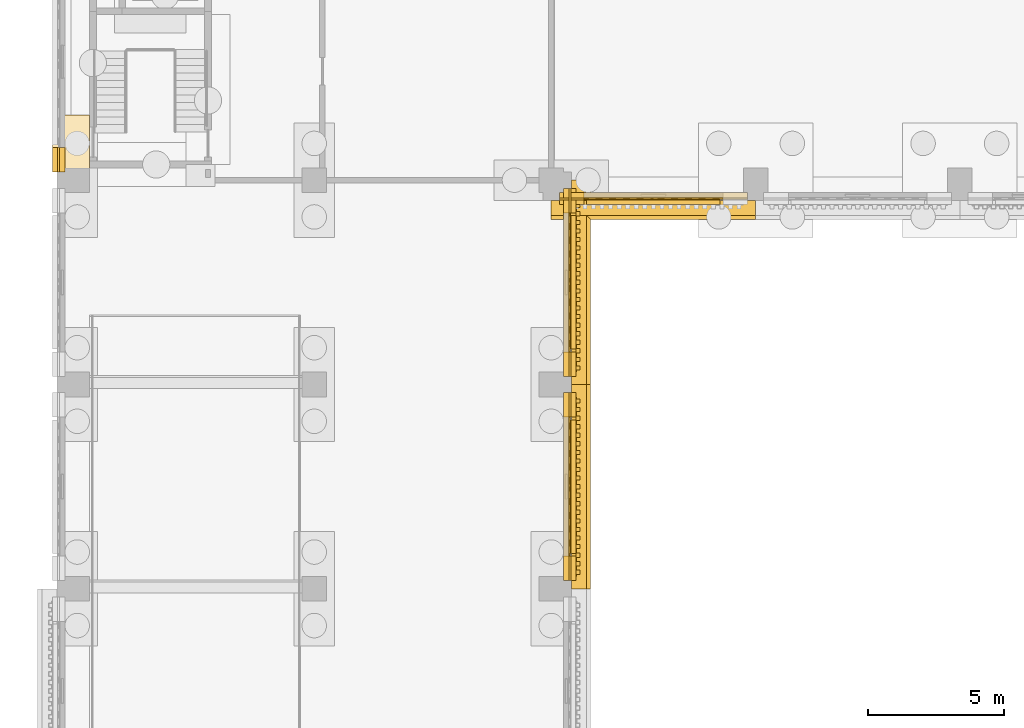
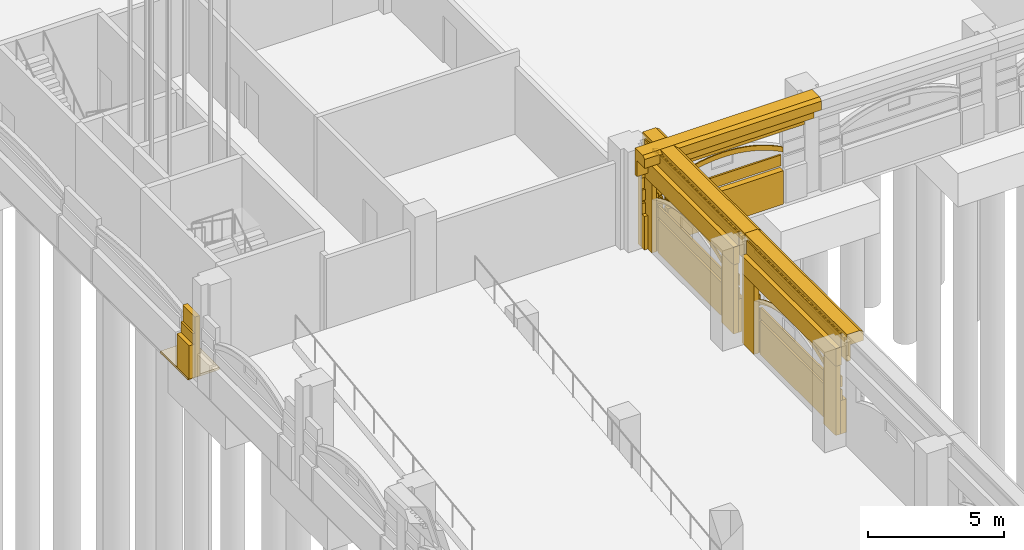
# One storey, part 63 of 99: 41 coverings.
"""IFC4 building model written with IfcOpenShell, lengths in metres."""

from ifc_helpers import new_model, si_unit, direction, frame, origin, place, context, subcontext, project, spatial, polyline, outline, extrude, material, layer, layer_set, type_object, element, save


model = new_model("IFC4")

# Units and contexts
model_context = context("Model", 3, precision=1e-05, world=origin(), true_north=direction((0.0, 1.0)))
body_context = subcontext(model_context, "Body", "Model", "MODEL_VIEW")
ifc_project = project(units=[si_unit("LENGTHUNIT", "METRE"), si_unit("AREAUNIT", "SQUARE_METRE"), si_unit("VOLUMEUNIT", "CUBIC_METRE"), si_unit("PLANEANGLEUNIT", "RADIAN"), si_unit("MASSUNIT", "GRAM", prefix="KILO")], contexts=[model_context])

# Site, building, storey
site_placement = place(None, origin())
site = spatial("IfcSite", under=ifc_project, at=site_placement, CompositionType="ELEMENT")
building_placement = place(site_placement, origin())
building = spatial("IfcBuilding", under=site, at=building_placement, Name="Cour d'Honneur Mobility Palace", CompositionType="ELEMENT")
storey_placement = place(building_placement, origin())
storey = spatial("IfcBuildingStorey", under=building, at=storey_placement, Name="L00", CompositionType="ELEMENT", Elevation=0.0)

# Coverings
ifc_material_1 = material(Name="Cast limestone", Category="masonry")
ifc_layer_1 = layer(ifc_material_1, 0.050048828125)
ifc_layer_set_1 = layer_set([ifc_layer_1], Name="Cast limestone")
covering_type_1 = type_object("IfcCoveringType", Name="Arch hood", PredefinedType="CLADDING", material=ifc_layer_set_1)
for number, where, z_axis, x_axis, name in (
    (1, (18.10009765625, 31.199951171875, 2.179931640625), (1.0, 0.0, 0.0), (0.0, 0.893604607308, 0.448854994176), "Arch hood AH-5"),
    (2, (18.10009765625, 38.699951171875, 2.179931640625), (1.0, 0.0, 0.0), (0.0, 0.893604607308, 0.448854994176), "Arch hood AH-6"),
):
    element("IfcCovering", number, at=place(storey_placement, frame(where, z_axis=z_axis, x_axis=x_axis)), inside=storey, type_object=covering_type_1, Name=name, PredefinedType="CLADDING", context=body_context, shape_type="SweptSolid", body=[
        extrude(outline(polyline([(0.0, 0.0), (0.35681066731556765, 2.7755575615628914e-17), (0.7020064606072944, -0.022579595743628944), (1.0367907964215308, -0.06643079839719385), (1.3617125957426337, -0.129916867910564), (1.677101612077335, -0.2118373946082709), (1.9837229270167351, -0.31175705040594615), (2.2813593776637964, -0.4290203374513023), (2.570556878131994, -0.5636282580346337), (2.8512068469728096, -0.7152530632297959), (3.1229815352600987, -0.884003334485308), (3.3862076896297117, -1.070316404466126), (3.640229812229361, -1.2744094360692875), (3.885155482217271, -1.4971560923344107), (4.120218615712047, -1.7395376154593394), (4.344433961354672, -2.0029715780165787), (4.557470763348117, -2.2892043037950724), (4.656205712018263, -2.0926374700096892), (4.44327849376363, -1.8061865790438643), (4.218953564382193, -1.5429707816739562), (3.9838904308874175, -1.3005892585490275), (3.73907434463832, -1.0776244370965733), (3.484942638299858, -0.873749570680743), (3.221716483930245, -0.6874365006999249), (2.949941795642956, -0.5186862294444128), (2.6692918268021404, -0.3670614242492506), (2.3800943263339427, -0.23245350366591921), (2.0824578756868815, -0.11519021662056306), (1.7758365607474815, -0.015270560822887802), (1.460557128151593, 0.06686813106215028), (1.1355257450916771, 0.1301360353881893), (0.8007414092774409, 0.17398723804175414), (0.4556551997245267, 0.1967849989727143), (0.09873494867014648, 0.19656683378538312), (0.0, 0.0)])), origin(), (0.0, 0.0, -1.0), 0.050048828125),
    ])
covering_1_placement = place(storey_placement, frame((18.60009765625, 44.300048828125, 2.179931640625), z_axis=(0.0, -1.0, 0.0), x_axis=(0.893466628376, 0.0, 0.449129584839)))
element("IfcCovering", 3, at=covering_1_placement, inside=storey, type_object=covering_type_1, Name="Arch hood AH-7", PredefinedType="CLADDING", context=body_context, shape_type="SweptSolid", body=[
    extrude(outline(polyline([(0.0, 0.0), (0.35659251896621735, 0.0), (0.7019994885684498, -0.022795326888668588), (1.0365522012474004, -0.0666397586034293), (1.3614544754480467, -0.13022567619190017), (1.6770364335570624, -0.21235277137119013), (1.9834088964060255, -0.3122569988605455), (2.2812274285521696, -0.4297213972129261), (2.5701654177709066, -0.564308533372167), (2.850768777841922, -0.7160195773922962), (3.122709726486599, -0.8849630099968336), (3.38566048142632, -1.0712473119092998), (3.6398380041081246, -1.2755280476869282), (3.8844770791972314, -1.4982403102778272), (4.119465715808033, -1.740694058742436), (4.343818226996622, -2.004306562810686), (4.556548925819088, -2.2904950922125074), (4.655344276390369, -2.0939586097498237), (4.44272322834545, -1.807551948846934), (4.218261066379314, -1.5441575762797524), (3.983272429768512, -1.3017038278151434), (3.7387430054569535, -1.078773433723176), (3.4844558319976, -0.8747108294466162), (3.221505077057879, -0.68842652753415), (2.949564128413202, -0.5194830949296125), (2.6689607683421865, -0.3677720509094833), (2.3800227791234496, -0.2331849147502425), (2.0822042469773057, -0.11572051639786185), (1.7758317841283424, -0.015816288908506504), (1.4603594767968753, 0.06652893777185187), (1.1353475518186806, 0.12989672385925438), (0.8007948391397299, 0.17374115557401504), (0.45549752031504603, 0.1967546139637521), (0.09879535057128006, 0.19653648246268365), (0.0, 0.0)])), origin(), (0.0, 0.0, -1.0), 0.050048828125),
])
ifc_material_2 = material(Name="Cast limestone", Category="masonry")
ifc_layer_2 = layer(ifc_material_2, 0.14990234375)
ifc_layer_set_2 = layer_set([ifc_layer_2], Name="Cast limestone")
covering_type_2 = type_object("IfcCoveringType", Name="Dentil course", PredefinedType="CLADDING", material=ifc_layer_set_2)
covering_2_placement = place(storey_placement, frame((0.0, 0.0, 3.949951171875)))
element("IfcCovering", 4, at=covering_2_placement, inside=storey, type_object=covering_type_2, Name="Dentil course DC-3", PredefinedType="CLADDING", context=body_context, shape_type="SweptSolid", body=[
    extrude(outline(polyline([(18.300048828125, 30.449951171875), (18.300048828125, 37.050048828125), (18.330078125, 37.050048828125), (18.330078125, 37.050048828125), (18.330078125, 36.971435546875), (18.449951171875, 36.971435546875), (18.449951171875, 36.814208984375), (18.330078125, 36.814208984375), (18.330078125, 36.735595703125), (18.330078125, 36.735595703125), (18.330078125, 36.6572265625), (18.449951171875, 36.6572265625), (18.449951171875, 36.5), (18.330078125, 36.5), (18.330078125, 36.42138671875), (18.330078125, 36.42138671875), (18.330078125, 36.3427734375), (18.449951171875, 36.3427734375), (18.449951171875, 36.185791015625), (18.330078125, 36.185791015625), (18.330078125, 36.107177734375), (18.330078125, 36.107177734375), (18.330078125, 36.028564453125), (18.449951171875, 36.028564453125), (18.449951171875, 35.871337890625), (18.330078125, 35.871337890625), (18.330078125, 35.79296875), (18.330078125, 35.79296875), (18.330078125, 35.71435546875), (18.449951171875, 35.71435546875), (18.449951171875, 35.55712890625), (18.330078125, 35.55712890625), (18.330078125, 35.478515625), (18.330078125, 35.478515625), (18.330078125, 35.39990234375), (18.449951171875, 35.39990234375), (18.449951171875, 35.242919921875), (18.330078125, 35.242919921875), (18.330078125, 35.164306640625), (18.330078125, 35.164306640625), (18.330078125, 35.085693359375), (18.449951171875, 35.085693359375), (18.449951171875, 34.928466796875), (18.330078125, 34.928466796875), (18.330078125, 34.85009765625), (18.330078125, 34.85009765625), (18.330078125, 34.771484375), (18.449951171875, 34.771484375), (18.449951171875, 34.6142578125), (18.330078125, 34.6142578125), (18.330078125, 34.53564453125), (18.330078125, 34.53564453125), (18.330078125, 34.45703125), (18.449951171875, 34.45703125), (18.449951171875, 34.300048828125), (18.330078125, 34.300048828125), (18.330078125, 34.221435546875), (18.330078125, 34.221435546875), (18.330078125, 34.142822265625), (18.449951171875, 34.142822265625), (18.449951171875, 33.985595703125), (18.330078125, 33.985595703125), (18.330078125, 33.9072265625), (18.330078125, 33.9072265625), (18.330078125, 33.82861328125), (18.449951171875, 33.82861328125), (18.449951171875, 33.67138671875), (18.330078125, 33.67138671875), (18.330078125, 33.5927734375), (18.330078125, 33.5927734375), (18.330078125, 33.514404296875), (18.449951171875, 33.514404296875), (18.449951171875, 33.357177734375), (18.330078125, 33.357177734375), (18.330078125, 33.278564453125), (18.330078125, 33.278564453125), (18.330078125, 33.199951171875), (18.449951171875, 33.199951171875), (18.449951171875, 33.04296875), (18.330078125, 33.04296875), (18.330078125, 32.96435546875), (18.330078125, 32.96435546875), (18.330078125, 32.8857421875), (18.449951171875, 32.8857421875), (18.449951171875, 32.728515625), (18.330078125, 32.728515625), (18.330078125, 32.64990234375), (18.330078125, 32.64990234375), (18.330078125, 32.571533203125), (18.449951171875, 32.571533203125), (18.449951171875, 32.414306640625), (18.330078125, 32.414306640625), (18.330078125, 32.335693359375), (18.330078125, 32.335693359375), (18.330078125, 32.257080078125), (18.449951171875, 32.257080078125), (18.449951171875, 32.10009765625), (18.330078125, 32.10009765625), (18.330078125, 32.021484375), (18.330078125, 32.021484375), (18.330078125, 31.94287109375), (18.449951171875, 31.94287109375), (18.449951171875, 31.78564453125), (18.330078125, 31.78564453125), (18.330078125, 31.70703125), (18.330078125, 31.70703125), (18.330078125, 31.628662109375), (18.449951171875, 31.628662109375), (18.449951171875, 31.471435546875), (18.330078125, 31.471435546875), (18.330078125, 31.392822265625), (18.330078125, 31.392822265625), (18.330078125, 31.314208984375), (18.449951171875, 31.314208984375), (18.449951171875, 31.1572265625), (18.330078125, 31.1572265625), (18.330078125, 31.07861328125), (18.330078125, 31.07861328125), (18.330078125, 31.0), (18.449951171875, 31.0), (18.449951171875, 30.8427734375), (18.330078125, 30.8427734375), (18.330078125, 30.764404296875), (18.330078125, 30.764404296875), (18.330078125, 30.685791015625), (18.449951171875, 30.685791015625), (18.449951171875, 30.528564453125), (18.330078125, 30.528564453125), (18.330078125, 30.449951171875), (18.300048828125, 30.449951171875)])), origin(), (0.0, 0.0, 1.0), 0.150146484375),
])
covering_3_placement = place(storey_placement, frame((0.0, 0.0, 3.949951171875)))
element("IfcCovering", 5, at=covering_3_placement, inside=storey, type_object=covering_type_2, Name="Dentil course DC-4", PredefinedType="CLADDING", context=body_context, shape_type="SweptSolid", body=[
    extrude(outline(polyline([(18.300048828125, 37.949951171875), (18.300048828125, 44.550048828125), (18.330078125, 44.550048828125), (18.330078125, 44.550048828125), (18.330078125, 44.471435546875), (18.449951171875, 44.471435546875), (18.449951171875, 44.314208984375), (18.330078125, 44.314208984375), (18.330078125, 44.235595703125), (18.330078125, 44.235595703125), (18.330078125, 44.1572265625), (18.449951171875, 44.1572265625), (18.449951171875, 44.0), (18.330078125, 44.0), (18.330078125, 43.92138671875), (18.330078125, 43.92138671875), (18.330078125, 43.8427734375), (18.449951171875, 43.8427734375), (18.449951171875, 43.685791015625), (18.330078125, 43.685791015625), (18.330078125, 43.607177734375), (18.330078125, 43.607177734375), (18.330078125, 43.528564453125), (18.449951171875, 43.528564453125), (18.449951171875, 43.371337890625), (18.330078125, 43.371337890625), (18.330078125, 43.29296875), (18.330078125, 43.29296875), (18.330078125, 43.21435546875), (18.449951171875, 43.21435546875), (18.449951171875, 43.05712890625), (18.330078125, 43.05712890625), (18.330078125, 42.978515625), (18.330078125, 42.978515625), (18.330078125, 42.89990234375), (18.449951171875, 42.89990234375), (18.449951171875, 42.742919921875), (18.330078125, 42.742919921875), (18.330078125, 42.664306640625), (18.330078125, 42.664306640625), (18.330078125, 42.585693359375), (18.449951171875, 42.585693359375), (18.449951171875, 42.428466796875), (18.330078125, 42.428466796875), (18.330078125, 42.35009765625), (18.330078125, 42.35009765625), (18.330078125, 42.271484375), (18.449951171875, 42.271484375), (18.449951171875, 42.1142578125), (18.330078125, 42.1142578125), (18.330078125, 42.03564453125), (18.330078125, 42.03564453125), (18.330078125, 41.95703125), (18.449951171875, 41.95703125), (18.449951171875, 41.800048828125), (18.330078125, 41.800048828125), (18.330078125, 41.721435546875), (18.330078125, 41.721435546875), (18.330078125, 41.642822265625), (18.449951171875, 41.642822265625), (18.449951171875, 41.485595703125), (18.330078125, 41.485595703125), (18.330078125, 41.4072265625), (18.330078125, 41.4072265625), (18.330078125, 41.32861328125), (18.449951171875, 41.32861328125), (18.449951171875, 41.17138671875), (18.330078125, 41.17138671875), (18.330078125, 41.0927734375), (18.330078125, 41.0927734375), (18.330078125, 41.014404296875), (18.449951171875, 41.014404296875), (18.449951171875, 40.857177734375), (18.330078125, 40.857177734375), (18.330078125, 40.778564453125), (18.330078125, 40.778564453125), (18.330078125, 40.699951171875), (18.449951171875, 40.699951171875), (18.449951171875, 40.54296875), (18.330078125, 40.54296875), (18.330078125, 40.46435546875), (18.330078125, 40.46435546875), (18.330078125, 40.3857421875), (18.449951171875, 40.3857421875), (18.449951171875, 40.228515625), (18.330078125, 40.228515625), (18.330078125, 40.14990234375), (18.330078125, 40.14990234375), (18.330078125, 40.071533203125), (18.449951171875, 40.071533203125), (18.449951171875, 39.914306640625), (18.330078125, 39.914306640625), (18.330078125, 39.835693359375), (18.330078125, 39.835693359375), (18.330078125, 39.757080078125), (18.449951171875, 39.757080078125), (18.449951171875, 39.60009765625), (18.330078125, 39.60009765625), (18.330078125, 39.521484375), (18.330078125, 39.521484375), (18.330078125, 39.44287109375), (18.449951171875, 39.44287109375), (18.449951171875, 39.28564453125), (18.330078125, 39.28564453125), (18.330078125, 39.20703125), (18.330078125, 39.20703125), (18.330078125, 39.128662109375), (18.449951171875, 39.128662109375), (18.449951171875, 38.971435546875), (18.330078125, 38.971435546875), (18.330078125, 38.892822265625), (18.330078125, 38.892822265625), (18.330078125, 38.814208984375), (18.449951171875, 38.814208984375), (18.449951171875, 38.6572265625), (18.330078125, 38.6572265625), (18.330078125, 38.57861328125), (18.330078125, 38.57861328125), (18.330078125, 38.5), (18.449951171875, 38.5), (18.449951171875, 38.3427734375), (18.330078125, 38.3427734375), (18.330078125, 38.264404296875), (18.330078125, 38.264404296875), (18.330078125, 38.185791015625), (18.449951171875, 38.185791015625), (18.449951171875, 38.028564453125), (18.330078125, 38.028564453125), (18.330078125, 37.949951171875), (18.300048828125, 37.949951171875)])), origin(), (0.0, 0.0, 1.0), 0.150146484375),
])
ifc_material_3 = material(Name="Cast limestone", Category="masonry")
ifc_layer_3 = layer(ifc_material_3, 0.699951171875)
ifc_layer_set_3 = layer_set([ifc_layer_3], Name="Cast limestone")
covering_type_3 = type_object("IfcCoveringType", Name="Entablature", PredefinedType="CLADDING", material=ifc_layer_set_3)
for number, where, z_axis, x_axis, name in (
    (6, (18.14990234375, 30.0, 3.39990234375), (0.0, -1.0, 0.0), (1.0, 0.0, 0.0), "Entablature EN-3"),
    (7, (18.14990234375, 37.5, 3.39990234375), (0.0, -1.0, 0.0), (1.0, 0.0, 0.0), "Entablature EN-4"),
):
    element("IfcCovering", number, at=place(storey_placement, frame(where, z_axis=z_axis, x_axis=x_axis)), inside=storey, type_object=covering_type_3, Name=name, PredefinedType="CLADDING", context=body_context, shape_type="SweptSolid", body=[
        extrude(outline(polyline([(0.0, 0.0), (0.150146484375, 0.0), (0.150146484375, 0.7001953125), (0.7001953125, 0.7001953125), (0.7001953125, 1.10009765625), (0.550048828125, 1.2001953125), (0.0, 1.2001953125), (0.0, 0.0)])), origin(), (0.0, 0.0, -1.0), 7.5),
    ])
covering_4_placement = place(storey_placement, frame((17.39990234375, 44.25, 3.39990234375), z_axis=(-1.0, 0.0, 0.0), x_axis=(0.0, -1.0, 0.0)))
element("IfcCovering", 8, at=covering_4_placement, inside=storey, type_object=covering_type_3, Name="Entablature EN-5", PredefinedType="CLADDING", context=body_context, shape_type="SweptSolid", body=[
    extrude(outline(polyline([(0.0, 0.0), (0.14990234375, 0.0), (0.14990234375, 0.7001953125), (0.699951171875, 0.7001953125), (0.699951171875, 1.10009765625), (0.550048828125, 1.2001953125), (0.0, 1.2001953125), (0.0, 0.0)])), origin(), (0.0, 0.0, -1.0), 7.5),
])
ifc_material_4 = material(Name="Granite paving", Category="masonry")
ifc_layer_4 = layer(ifc_material_4, 0.10009765625)
ifc_layer_set_4 = layer_set([ifc_layer_4], Name="Granite paving")
covering_type_4 = type_object("IfcCoveringType", Name="Entrance paving", PredefinedType="FLOORING", material=ifc_layer_set_4)
covering_5_placement = place(storey_placement, frame((0.0, 0.0, -0.10009765625)))
element("IfcCovering", 9, at=covering_5_placement, inside=storey, type_object=covering_type_4, Name="Entrance paving PV-29", PredefinedType="FLOORING", context=body_context, shape_type="SweptSolid", body=[
    extrude(outline(polyline([(-0.89990234375, 45.39990234375), (0.449951171875, 45.39990234375), (0.449951171875, 47.39990234375), (-0.89990234375, 47.39990234375), (-0.89990234375, 45.39990234375)])), origin(), (0.0, 0.0, 1.0), 0.10009765625),
])
ifc_material_5 = material(Name="Cast limestone", Category="masonry")
ifc_layer_5 = layer(ifc_material_5, 0.25)
ifc_layer_set_5 = layer_set([ifc_layer_5], Name="Cast limestone")
covering_type_5 = type_object("IfcCoveringType", Name="Plinth course", PredefinedType="CLADDING", material=ifc_layer_set_5)
covering_6_placement = place(storey_placement, origin())
element("IfcCovering", 10, at=covering_6_placement, inside=storey, type_object=covering_type_5, Name="Plinth course PI-15", PredefinedType="CLADDING", context=body_context, shape_type="SweptSolid", body=[
    extrude(outline(polyline([(18.050048828125, 30.300048828125), (18.050048828125, 31.199951171875), (18.300048828125, 31.199951171875), (18.300048828125, 30.300048828125), (18.050048828125, 30.300048828125)])), origin(), (0.0, 0.0, 1.0), 1.5),
])
covering_7_placement = place(storey_placement, origin())
element("IfcCovering", 11, at=covering_7_placement, inside=storey, type_object=covering_type_5, Name="Plinth course PI-16", PredefinedType="CLADDING", context=body_context, shape_type="SweptSolid", body=[
    extrude(outline(polyline([(18.050048828125, 36.300048828125), (18.050048828125, 37.199951171875), (18.300048828125, 37.199951171875), (18.300048828125, 36.300048828125), (18.050048828125, 36.300048828125)])), origin(), (0.0, 0.0, 1.0), 1.5),
])
covering_8_placement = place(storey_placement, origin())
element("IfcCovering", 12, at=covering_8_placement, inside=storey, type_object=covering_type_5, Name="Plinth course PI-17", PredefinedType="CLADDING", context=body_context, shape_type="SweptSolid", body=[
    extrude(outline(polyline([(18.050048828125, 31.300048828125), (18.050048828125, 36.199951171875), (18.300048828125, 36.199951171875), (18.300048828125, 31.300048828125), (18.050048828125, 31.300048828125)])), origin(), (0.0, 0.0, 1.0), 1.5),
])
covering_9_placement = place(storey_placement, origin())
element("IfcCovering", 13, at=covering_9_placement, inside=storey, type_object=covering_type_5, Name="Plinth course PI-18", PredefinedType="CLADDING", context=body_context, shape_type="SweptSolid", body=[
    extrude(outline(polyline([(18.050048828125, 37.800048828125), (18.050048828125, 38.699951171875), (18.300048828125, 38.699951171875), (18.300048828125, 37.800048828125), (18.050048828125, 37.800048828125)])), origin(), (0.0, 0.0, 1.0), 1.5),
])
covering_10_placement = place(storey_placement, origin())
element("IfcCovering", 14, at=covering_10_placement, inside=storey, type_object=covering_type_5, Name="Plinth course PI-19", PredefinedType="CLADDING", context=body_context, shape_type="SweptSolid", body=[
    extrude(outline(polyline([(18.050048828125, 43.800048828125), (18.050048828125, 44.699951171875), (18.300048828125, 44.699951171875), (18.300048828125, 43.800048828125), (18.050048828125, 43.800048828125)])), origin(), (0.0, 0.0, 1.0), 1.5),
])
covering_11_placement = place(storey_placement, origin())
element("IfcCovering", 15, at=covering_11_placement, inside=storey, type_object=covering_type_5, Name="Plinth course PI-20", PredefinedType="CLADDING", context=body_context, shape_type="SweptSolid", body=[
    extrude(outline(polyline([(18.050048828125, 38.800048828125), (18.050048828125, 43.699951171875), (18.300048828125, 43.699951171875), (18.300048828125, 38.800048828125), (18.050048828125, 38.800048828125)])), origin(), (0.0, 0.0, 1.0), 1.5),
])
covering_12_placement = place(storey_placement, origin())
element("IfcCovering", 16, at=covering_12_placement, inside=storey, type_object=covering_type_5, Name="Plinth course PI-21", PredefinedType="CLADDING", context=body_context, shape_type="SweptSolid", body=[
    extrude(outline(polyline([(17.699951171875, 44.35009765625), (18.60009765625, 44.35009765625), (18.60009765625, 44.10009765625), (17.699951171875, 44.10009765625), (17.699951171875, 44.35009765625)])), origin(), (0.0, 0.0, 1.0), 1.5),
])
covering_13_placement = place(storey_placement, origin())
element("IfcCovering", 17, at=covering_13_placement, inside=storey, type_object=covering_type_5, Name="Plinth course PI-23", PredefinedType="CLADDING", context=body_context, shape_type="SweptSolid", body=[
    extrude(outline(polyline([(18.699951171875, 44.35009765625), (23.60009765625, 44.35009765625), (23.60009765625, 44.10009765625), (18.699951171875, 44.10009765625), (18.699951171875, 44.35009765625)])), origin(), (0.0, 0.0, 1.0), 1.5),
])
covering_14_placement = place(storey_placement, origin())
element("IfcCovering", 18, at=covering_14_placement, inside=storey, type_object=covering_type_5, Name="Plinth course PI-210", PredefinedType="CLADDING", context=body_context, shape_type="SweptSolid", body=[
    extrude(outline(polyline([(-0.64990234375, 46.199951171875), (-0.64990234375, 45.300048828125), (-0.89990234375, 45.300048828125), (-0.89990234375, 46.199951171875), (-0.64990234375, 46.199951171875)])), origin(), (0.0, 0.0, 1.0), 1.5),
])
ifc_material_6 = material(Name="Cast limestone", Category="masonry")
ifc_layer_6 = layer(ifc_material_6, 0.199951171875)
ifc_layer_set_6 = layer_set([ifc_layer_6], Name="Cast limestone")
covering_type_6 = type_object("IfcCoveringType", Name="Rusticated jamb panel", PredefinedType="CLADDING", material=ifc_layer_set_6)
for number, where, z_axis, x_axis, name in (
    (19, (18.050048828125, 30.300048828125, 0.0), (1.0, 0.0, 0.0), (0.0, 1.0, 0.0), "Rusticated jamb panel RP-13"),
    (20, (18.050048828125, 36.300048828125, 0.0), (1.0, 0.0, 0.0), (0.0, 1.0, 0.0), "Rusticated jamb panel RP-14"),
    (21, (18.050048828125, 37.800048828125, 0.0), (1.0, 0.0, 0.0), (0.0, 1.0, 0.0), "Rusticated jamb panel RP-15"),
    (22, (18.050048828125, 43.800048828125, 0.0), (1.0, 0.0, 0.0), (0.0, 1.0, 0.0), "Rusticated jamb panel RP-16"),
):
    element("IfcCovering", number, at=place(storey_placement, frame(where, z_axis=z_axis, x_axis=x_axis)), inside=storey, type_object=covering_type_6, Name=name, PredefinedType="CLADDING", context=body_context, shape_type="SweptSolid", body=[
        extrude(outline(polyline([(0.0, 0.0), (0.89990234375, 0.0), (0.89990234375, 3.10009765625), (0.0, 3.10009765625), (0.0, 0.0)])), origin(), (0.0, 0.0, -1.0), 0.199951171875),
    ])
covering_15_placement = place(storey_placement, frame((17.699951171875, 44.35009765625, 0.0), z_axis=(0.0, -1.0, 0.0), x_axis=(1.0, 0.0, 0.0)))
element("IfcCovering", 23, at=covering_15_placement, inside=storey, type_object=covering_type_6, Name="Rusticated jamb panel RP-17", PredefinedType="CLADDING", context=body_context, shape_type="SweptSolid", body=[
    extrude(outline(polyline([(0.0, 0.0), (0.900146484375, 0.0), (0.900146484375, 3.10009765625), (0.0, 3.10009765625), (0.0, 0.0)])), origin(), (0.0, 0.0, -1.0), 0.199951171875),
])
covering_16_placement = place(storey_placement, frame((-0.64990234375, 46.199951171875, 0.0), z_axis=(-1.0, 0.0, 0.0), x_axis=(0.0, -1.0, 0.0)))
element("IfcCovering", 24, at=covering_16_placement, inside=storey, type_object=covering_type_6, Name="Rusticated jamb panel RP-179", PredefinedType="CLADDING", context=body_context, shape_type="SweptSolid", body=[
    extrude(outline(polyline([(0.0, 0.0), (0.89990234375, 0.0), (0.89990234375, 2.699951171875), (0.0, 2.699951171875), (0.0, 0.0)])), origin(), (0.0, 0.0, -1.0), 0.199951171875),
])
ifc_material_7 = material(Name="Cast limestone", Category="masonry")
ifc_layer_7 = layer(ifc_material_7, 0.080078125)
ifc_layer_set_7 = layer_set([ifc_layer_7], Name="Cast limestone")
covering_type_7 = type_object("IfcCoveringType", Name="Rustication course", PredefinedType="CLADDING", material=ifc_layer_set_7)
for number, where, name in (
    (25, (0.0, 0.0, 1.5), "Rustication course RC-25"),
    (26, (0.0, 0.0, 2.10009765625), "Rustication course RC-26"),
):
    element("IfcCovering", number, at=place(storey_placement, frame(where)), inside=storey, type_object=covering_type_7, Name=name, PredefinedType="CLADDING", context=body_context, shape_type="SweptSolid", body=[
        extrude(outline(polyline([(18.050048828125, 30.300048828125), (18.050048828125, 31.199951171875), (18.1298828125, 31.199951171875), (18.1298828125, 30.300048828125), (18.050048828125, 30.300048828125)])), origin(), (0.0, 0.0, 1.0), 0.47998046875),
    ])
for number, where, name in (
    (27, (0.0, 0.0, 1.5), "Rustication course RC-27"),
    (28, (0.0, 0.0, 2.10009765625), "Rustication course RC-28"),
):
    element("IfcCovering", number, at=place(storey_placement, frame(where)), inside=storey, type_object=covering_type_7, Name=name, PredefinedType="CLADDING", context=body_context, shape_type="SweptSolid", body=[
        extrude(outline(polyline([(18.050048828125, 36.300048828125), (18.050048828125, 37.199951171875), (18.1298828125, 37.199951171875), (18.1298828125, 36.300048828125), (18.050048828125, 36.300048828125)])), origin(), (0.0, 0.0, 1.0), 0.47998046875),
    ])
covering_17_placement = place(storey_placement, frame((0.0, 0.0, 1.6201171875)))
element("IfcCovering", 29, at=covering_17_placement, inside=storey, type_object=covering_type_7, Name="Rustication course RC-29", PredefinedType="CLADDING", context=body_context, shape_type="SweptSolid", body=[
    extrude(outline(polyline([(18.050048828125, 31.300048828125), (18.050048828125, 36.199951171875), (18.1298828125, 36.199951171875), (18.1298828125, 31.300048828125), (18.050048828125, 31.300048828125)])), origin(), (0.0, 0.0, 1.0), 0.47998046875),
])
for number, where, name in (
    (30, (0.0, 0.0, 1.5), "Rustication course RC-30"),
    (31, (0.0, 0.0, 2.10009765625), "Rustication course RC-31"),
):
    element("IfcCovering", number, at=place(storey_placement, frame(where)), inside=storey, type_object=covering_type_7, Name=name, PredefinedType="CLADDING", context=body_context, shape_type="SweptSolid", body=[
        extrude(outline(polyline([(18.050048828125, 37.800048828125), (18.050048828125, 38.699951171875), (18.1298828125, 38.699951171875), (18.1298828125, 37.800048828125), (18.050048828125, 37.800048828125)])), origin(), (0.0, 0.0, 1.0), 0.47998046875),
    ])
for number, where, name in (
    (32, (0.0, 0.0, 1.5), "Rustication course RC-32"),
    (33, (0.0, 0.0, 2.10009765625), "Rustication course RC-33"),
):
    element("IfcCovering", number, at=place(storey_placement, frame(where)), inside=storey, type_object=covering_type_7, Name=name, PredefinedType="CLADDING", context=body_context, shape_type="SweptSolid", body=[
        extrude(outline(polyline([(18.050048828125, 43.800048828125), (18.050048828125, 44.699951171875), (18.1298828125, 44.699951171875), (18.1298828125, 43.800048828125), (18.050048828125, 43.800048828125)])), origin(), (0.0, 0.0, 1.0), 0.47998046875),
    ])
covering_18_placement = place(storey_placement, frame((0.0, 0.0, 1.6201171875)))
element("IfcCovering", 34, at=covering_18_placement, inside=storey, type_object=covering_type_7, Name="Rustication course RC-34", PredefinedType="CLADDING", context=body_context, shape_type="SweptSolid", body=[
    extrude(outline(polyline([(18.050048828125, 38.800048828125), (18.050048828125, 43.699951171875), (18.1298828125, 43.699951171875), (18.1298828125, 38.800048828125), (18.050048828125, 38.800048828125)])), origin(), (0.0, 0.0, 1.0), 0.47998046875),
])
for number, where, name in (
    (35, (0.0, 0.0, 1.5), "Rustication course RC-35"),
    (36, (0.0, 0.0, 2.10009765625), "Rustication course RC-36"),
):
    element("IfcCovering", number, at=place(storey_placement, frame(where)), inside=storey, type_object=covering_type_7, Name=name, PredefinedType="CLADDING", context=body_context, shape_type="SweptSolid", body=[
        extrude(outline(polyline([(17.699951171875, 44.35009765625), (18.60009765625, 44.35009765625), (18.60009765625, 44.27001953125), (17.699951171875, 44.27001953125), (17.699951171875, 44.35009765625)])), origin(), (0.0, 0.0, 1.0), 0.47998046875),
    ])
covering_19_placement = place(storey_placement, frame((0.0, 0.0, 1.6201171875)))
element("IfcCovering", 37, at=covering_19_placement, inside=storey, type_object=covering_type_7, Name="Rustication course RC-39", PredefinedType="CLADDING", context=body_context, shape_type="SweptSolid", body=[
    extrude(outline(polyline([(18.699951171875, 44.35009765625), (23.60009765625, 44.35009765625), (23.60009765625, 44.27001953125), (18.699951171875, 44.27001953125), (18.699951171875, 44.35009765625)])), origin(), (0.0, 0.0, 1.0), 0.47998046875),
])
covering_20_placement = place(storey_placement, frame((0.0, 0.0, 1.5)))
element("IfcCovering", 38, at=covering_20_placement, inside=storey, type_object=covering_type_7, Name="Rustication course RC-385", PredefinedType="CLADDING", context=body_context, shape_type="SweptSolid", body=[
    extrude(outline(polyline([(-0.64990234375, 46.199951171875), (-0.64990234375, 45.300048828125), (-0.72998046875, 45.300048828125), (-0.72998046875, 46.199951171875), (-0.64990234375, 46.199951171875)])), origin(), (0.0, 0.0, 1.0), 0.47998046875),
])
ifc_material_8 = material(Name="Cast limestone", Category="masonry")
ifc_layer_8 = layer(ifc_material_8, 0.25)
ifc_layer_set_8 = layer_set([ifc_layer_8], Name="Cast limestone")
covering_type_8 = type_object("IfcCoveringType", Name="Spandrel cladding", PredefinedType="CLADDING", material=ifc_layer_set_8)
for number, where, z_axis, x_axis, name in (
    (39, (17.85009765625, 30.300048828125, 3.10009765625), (0.0, -1.0, 0.0), (1.0, 0.0, 0.0), "Spandrel cladding SK-3"),
    (40, (17.85009765625, 37.800048828125, 3.10009765625), (0.0, -1.0, 0.0), (1.0, 0.0, 0.0), "Spandrel cladding SK-4"),
    (41, (17.699951171875, 44.550048828125, 3.10009765625), (-1.0, 0.0, 0.0), (0.0, -1.0, 0.0), "Spandrel cladding SK-5"),
):
    element("IfcCovering", number, at=place(storey_placement, frame(where, z_axis=z_axis, x_axis=x_axis)), inside=storey, type_object=covering_type_8, Name=name, PredefinedType="CLADDING", context=body_context, shape_type="SweptSolid", body=[
        extrude(outline(polyline([(0.0, 0.0), (0.25, 0.0), (0.25, 1.39990234375), (0.199951171875, 1.39990234375), (0.199951171875, 0.7998046875), (0.0, 0.7998046875), (0.0, 0.0)])), origin(), (0.0, 0.0, -1.0), 6.89990234375),
    ])

save(model, "model.ifc")
